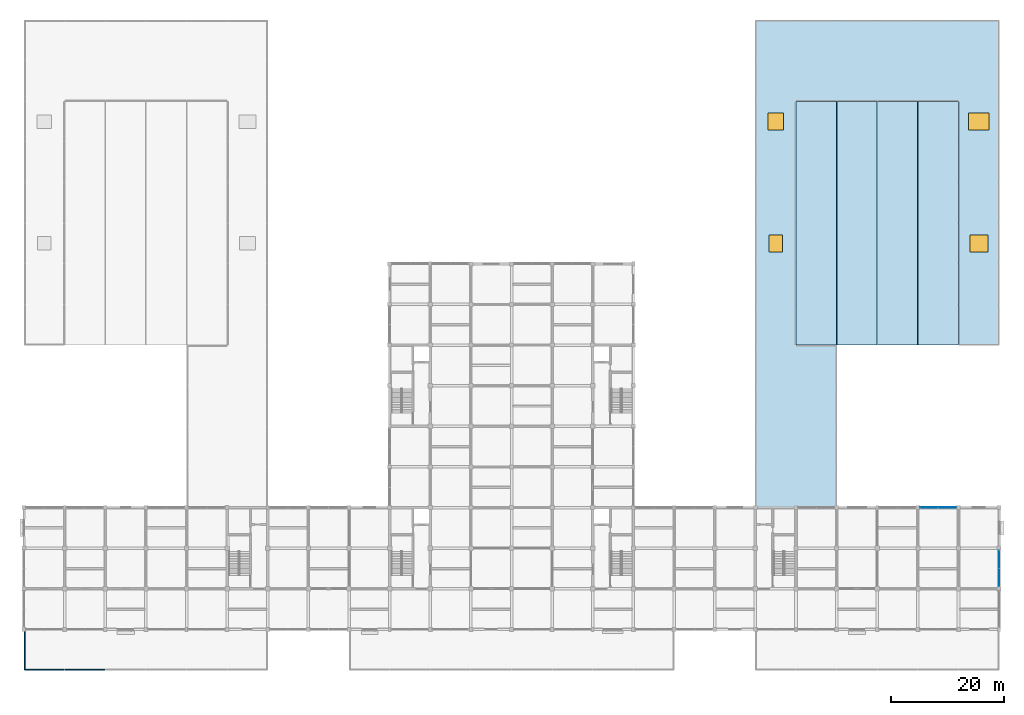
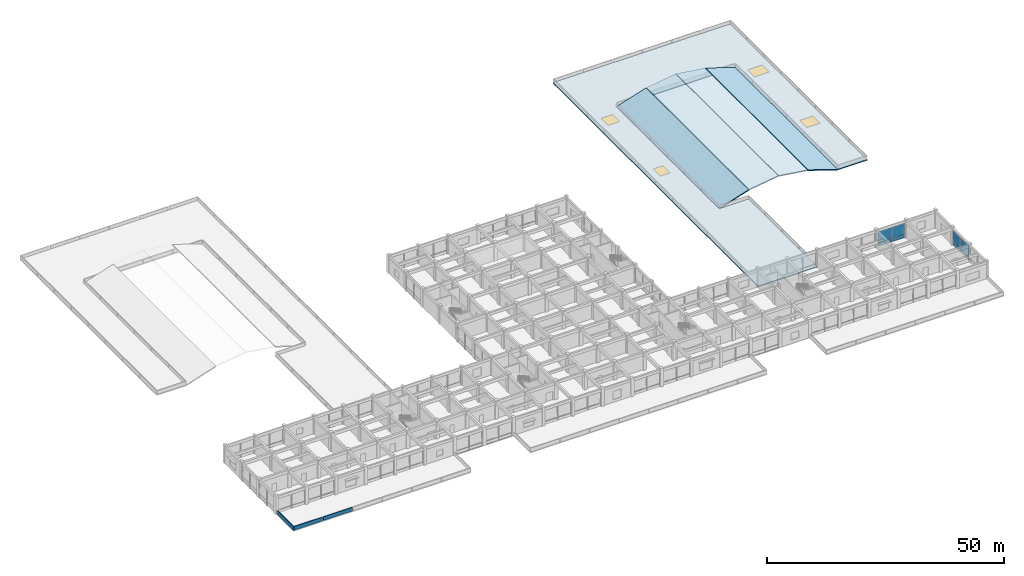
# One storey, part 17 of 30: 8 plates, 5 slabs, 4 windows, 3 walls, 4 openings, 2 elements without a shape of their own.
"""IFC4 building model written with IfcOpenShell, lengths in metres."""

from ifc_helpers import new_model, si_unit, direction, frame, frame_2d, origin, origin_2d, place, context, subcontext, project, spatial, polyline, rectangle, outline, extrude, material, layer, layer_set, type_object, element, fill, aggregate, save


model = new_model("IFC4")

# Units and contexts
model_context = context("Model", 3, precision=1e-05, world=origin(), true_north=direction((0.0, 1.0)))
body_context = subcontext(model_context, "Body", "Model", "MODEL_VIEW")
ifc_project = project(units=[si_unit("LENGTHUNIT", "METRE"), si_unit("AREAUNIT", "SQUARE_METRE"), si_unit("VOLUMEUNIT", "CUBIC_METRE"), si_unit("PLANEANGLEUNIT", "RADIAN"), si_unit("MASSUNIT", "GRAM", prefix="KILO")], contexts=[model_context])

# Site, building, storey
site_placement = place(None, origin())
site = spatial("IfcSite", under=ifc_project, at=site_placement, CompositionType="ELEMENT")
building_placement = place(site_placement, origin())
building = spatial("IfcBuilding", under=site, at=building_placement, Name="Cendaluz Park School", CompositionType="ELEMENT")
storey_placement = place(building_placement, frame((0.0, 0.0, 9.60009765625)))
storey = spatial("IfcBuildingStorey", under=building, at=storey_placement, Name="L02", CompositionType="ELEMENT", Elevation=9.60009765625)

# Curtain wall, plates
ifc_material_1 = material(Name="Anodised Aluminium 6063-T6", Category="aluminium")
ifc_layer_1 = layer(ifc_material_1, 0.179931640625)
ifc_layer_set_1 = layer_set([ifc_layer_1], Name="Anodised Aluminium 6063-T6")
curtain_wall_type = type_object("IfcCurtainWallType", Name="CW-130x78", PredefinedType="NOTDEFINED", material=ifc_layer_set_1)
curtain_wall_1_placement = place(storey_placement, origin())
curtain_wall_1 = element("IfcCurtainWall", 1, at=curtain_wall_1_placement, inside=storey, type_object=curtain_wall_type, Name="CW-L02-128", PredefinedType="NOTDEFINED")
ifc_material_2 = material(Name="Tempered Low-E Double Glazing", Category="glass")
ifc_layer_2 = layer(ifc_material_2, 0.0380859375)
ifc_layer_set_2 = layer_set([ifc_layer_2], Name="Tempered Low-E Double Glazing")
plate_type_1 = type_object("IfcPlateType", Name="CWP-G02", PredefinedType="CURTAIN_PANEL", material=ifc_layer_set_2)
plate_1_placement = place(storey_placement, frame((160.39501953125, 28.800048828125, 0.93994140625), z_axis=(0.0, 0.0, 1.0), x_axis=(1.0, 0.0, 0.0)))
plate_1 = element("IfcPlate", 2, at=plate_1_placement, type_object=plate_type_1, Name="CP-L02-1659", PredefinedType="CURTAIN_PANEL", context=body_context, shape_type="SweptSolid", body=[
    extrude(rectangle(XDim=3.1298828125, YDim=0.0380859375, at=origin_2d()), origin(), (0.0, 0.0, 1.0), 2.860107421875),
])
plate_2_placement = place(storey_placement, frame((163.60498046875, 28.800048828125, 0.93994140625), z_axis=(0.0, 0.0, 1.0), x_axis=(1.0, 0.0, 0.0)))
plate_2 = element("IfcPlate", 3, at=plate_2_placement, type_object=plate_type_1, Name="CP-L02-1664", PredefinedType="CURTAIN_PANEL", context=body_context, shape_type="SweptSolid", body=[
    extrude(rectangle(XDim=3.1298828125, YDim=0.0380859375, at=origin_2d()), origin(), (0.0, 0.0, 1.0), 2.860107421875),
])

curtain_wall_2_placement = place(storey_placement, origin())
curtain_wall_2 = element("IfcCurtainWall", 4, at=curtain_wall_2_placement, inside=storey, type_object=curtain_wall_type, Name="CW-L02-130", PredefinedType="NOTDEFINED")
ifc_layer_3 = layer(ifc_material_2, 0.05810546875)
ifc_layer_set_3 = layer_set([ifc_layer_3], Name="Tempered Low-E Double Glazing")
plate_type_2 = type_object("IfcPlateType", Name="CWP-G04", PredefinedType="CURTAIN_PANEL", material=ifc_layer_set_3)
plate_3_placement = place(storey_placement, frame((172.800048828125, 16.39501953125, 0.93994140625), z_axis=(0.0, 0.0, 1.0), x_axis=(0.0, 1.0, 0.0)))
plate_3 = element("IfcPlate", 5, at=plate_3_placement, type_object=plate_type_2, Name="CP-L02-1685", PredefinedType="CURTAIN_PANEL", context=body_context, shape_type="SweptSolid", body=[
    extrude(rectangle(XDim=3.1298828125, YDim=0.05810546875, at=origin_2d()), origin(), (0.0, 0.0, 1.0), 2.860107421875),
])
plate_4_placement = place(storey_placement, frame((172.800048828125, 19.60498046875, 0.93994140625), z_axis=(0.0, 0.0, 1.0), x_axis=(0.0, 1.0, 0.0)))
plate_4 = element("IfcPlate", 6, at=plate_4_placement, type_object=plate_type_2, Name="CP-L02-1690", PredefinedType="CURTAIN_PANEL", context=body_context, shape_type="SweptSolid", body=[
    extrude(rectangle(XDim=3.1298828125, YDim=0.05810546875, at=origin_2d()), origin(), (0.0, 0.0, 1.0), 2.860107421875),
])
ifc_layer_4 = layer(ifc_material_1, 0.094970703125)
ifc_layer_set_4 = layer_set([ifc_layer_4], Name="Anodised Aluminium 6063-T6")
plate_type_3 = type_object("IfcPlateType", Name="CWP-S02", PredefinedType="CURTAIN_PANEL", material=ifc_layer_set_4)
plate_5_placement = place(storey_placement, frame((172.800048828125, 16.39501953125, 0.080078125), z_axis=(0.0, 0.0, 1.0), x_axis=(0.0, 1.0, 0.0)))
plate_5 = element("IfcPlate", 7, at=plate_5_placement, type_object=plate_type_3, Name="CP-L02-1684", PredefinedType="CURTAIN_PANEL", context=body_context, shape_type="SweptSolid", body=[
    extrude(rectangle(XDim=3.1298828125, YDim=0.094970703125, at=origin_2d()), origin(), (0.0, 0.0, 1.0), 0.780029296875),
])
plate_6_placement = place(storey_placement, frame((172.800048828125, 19.60498046875, 0.080078125), z_axis=(0.0, 0.0, 1.0), x_axis=(0.0, 1.0, 0.0)))
plate_6 = element("IfcPlate", 8, at=plate_6_placement, type_object=plate_type_3, Name="CP-L02-1689", PredefinedType="CURTAIN_PANEL", context=body_context, shape_type="SweptSolid", body=[
    extrude(rectangle(XDim=3.1298828125, YDim=0.094970703125, at=origin_2d()), origin(), (0.0, 0.0, 1.0), 0.780029296875),
])
aggregate(curtain_wall_2, [plate_5, plate_3, plate_6, plate_4])

# Plate
ifc_layer_5 = layer(ifc_material_1, 0.125)
ifc_layer_set_5 = layer_set([ifc_layer_5], Name="Anodised Aluminium 6063-T6")
plate_type_4 = type_object("IfcPlateType", Name="CWP-S04", PredefinedType="CURTAIN_PANEL", material=ifc_layer_set_5)
plate_7_placement = place(storey_placement, frame((160.39501953125, 28.800048828125, 0.080078125), z_axis=(0.0, 0.0, 1.0), x_axis=(1.0, 0.0, 0.0)))
plate_7 = element("IfcPlate", 9, at=plate_7_placement, type_object=plate_type_4, Name="CP-L02-1658", PredefinedType="CURTAIN_PANEL", context=body_context, shape_type="SweptSolid", body=[
    extrude(rectangle(XDim=3.1298828125, YDim=0.125, at=origin_2d()), origin(), (0.0, 0.0, 1.0), 0.780029296875),
])

plate_8_placement = place(storey_placement, frame((163.60498046875, 28.800048828125, 0.080078125), z_axis=(0.0, 0.0, 1.0), x_axis=(1.0, 0.0, 0.0)))
plate_8 = element("IfcPlate", 10, at=plate_8_placement, type_object=plate_type_4, Name="CP-L02-1663", PredefinedType="CURTAIN_PANEL", context=body_context, shape_type="SweptSolid", body=[
    extrude(rectangle(XDim=3.1298828125, YDim=0.125, at=origin_2d()), origin(), (0.0, 0.0, 1.0), 0.780029296875),
])

aggregate(curtain_wall_1, [plate_7, plate_1, plate_8, plate_2])

# Slab, openings, windows
ifc_material_3 = material(Name="Concrete C40/50", Category="concrete")
ifc_layer_6 = layer(ifc_material_3, 0.260009765625)
ifc_layer_set_6 = layer_set([ifc_layer_6], Name="Concrete C40/50")
slab_type_1 = type_object("IfcSlabType", Name="SL-RF-260-RC", PredefinedType="ROOF", material=ifc_layer_set_6)
slab_1_placement = place(storey_placement, frame((0.0, 0.0, -0.260009765625)))
slab_1 = element("IfcSlab", 11, at=slab_1_placement, inside=storey, type_object=slab_type_1, Name="SL-RF-L01-06", PredefinedType="ROOF", context=body_context, shape_type="SweptSolid", body=[
    extrude(outline(polyline([(129.60009765625, 115.199951171875), (172.800048828125, 115.199951171875), (172.800048828125, 57.60009765625), (165.60009765625, 57.60009765625), (165.60009765625, 100.800048828125), (136.800048828125, 100.800048828125), (136.800048828125, 57.60009765625), (144.0, 57.60009765625), (144.0, 28.800048828125), (129.60009765625, 28.800048828125), (129.60009765625, 115.199951171875)])), origin(), (0.0, 0.0, 1.0), 0.260009765625),
])
opening_1_placement = place(slab_1_placement, frame((133.199951171875, 75.60009765625, 0.0)))
opening_1 = element("IfcOpeningElement", 12, at=opening_1_placement, cuts=slab_1, Name="Opening SK-05", PredefinedType="OPENING", context=body_context, shape_type="SweptSolid", body=[
    extrude(rectangle(XDim=2.39990234375, YDim=3.0, at=origin_2d()), frame((0.0, 0.0, -0.011962890625)), (0.0, 0.0, 1.0), 0.283935546875),
])
opening_2_placement = place(slab_1_placement, frame((133.199951171875, 97.199951171875, 0.0)))
opening_2 = element("IfcOpeningElement", 13, at=opening_2_placement, cuts=slab_1, Name="Opening SK-06", PredefinedType="OPENING", context=body_context, shape_type="SweptSolid", body=[
    extrude(rectangle(XDim=2.800048828125, YDim=3.0, at=origin_2d()), frame((0.0, 0.0, -0.011962890625)), (0.0, 0.0, 1.0), 0.283935546875),
])
opening_3_placement = place(slab_1_placement, frame((169.199951171875, 75.60009765625, 0.0)))
opening_3 = element("IfcOpeningElement", 14, at=opening_3_placement, cuts=slab_1, Name="Opening SK-07", PredefinedType="OPENING", context=body_context, shape_type="SweptSolid", body=[
    extrude(rectangle(XDim=3.199951171875, YDim=3.0, at=origin_2d()), frame((0.0, 0.0, -0.011962890625)), (0.0, 0.0, 1.0), 0.283935546875),
])
opening_4_placement = place(slab_1_placement, frame((169.199951171875, 97.199951171875, 0.0)))
opening_4 = element("IfcOpeningElement", 15, at=opening_4_placement, cuts=slab_1, Name="Opening SK-08", PredefinedType="OPENING", context=body_context, shape_type="SweptSolid", body=[
    extrude(rectangle(XDim=3.60009765625, YDim=3.0, at=origin_2d()), frame((0.0, 0.0, -0.011962890625)), (0.0, 0.0, 1.0), 0.283935546875),
])
window_type_1 = type_object("IfcWindowType", Name="SK-05", PartitioningType="SINGLE_PANEL", PredefinedType="SKYLIGHT", material=ifc_material_2)
window_1_placement = place(opening_1_placement, frame((0.0, 0.0, 0.2099609375)))
window_1 = element("IfcWindow", 16, at=window_1_placement, inside=storey, type_object=window_type_1, Name="WN-L02-024", OverallHeight=3.0, OverallWidth=2.39990234375, PartitioningType="SINGLE_PANEL", PredefinedType="SKYLIGHT", context=body_context, shape_type="SweptSolid", body=[
    extrude(rectangle(XDim=2.39990234375, YDim=3.0, at=origin_2d()), origin(), (0.0, 0.0, 1.0), 0.050048828125),
])
fill(opening_1, window_1)
window_type_2 = type_object("IfcWindowType", Name="SK-06", PartitioningType="SINGLE_PANEL", PredefinedType="SKYLIGHT", material=ifc_material_2)
window_2_placement = place(opening_2_placement, frame((0.0, 0.0, 0.2099609375)))
window_2 = element("IfcWindow", 17, at=window_2_placement, inside=storey, type_object=window_type_2, Name="WN-L02-025", OverallHeight=3.0, OverallWidth=2.800048828125, PartitioningType="SINGLE_PANEL", PredefinedType="SKYLIGHT", context=body_context, shape_type="SweptSolid", body=[
    extrude(rectangle(XDim=2.800048828125, YDim=3.0, at=origin_2d()), origin(), (0.0, 0.0, 1.0), 0.050048828125),
])
fill(opening_2, window_2)
window_type_3 = type_object("IfcWindowType", Name="SK-07", PartitioningType="SINGLE_PANEL", PredefinedType="SKYLIGHT", material=ifc_material_2)
window_3_placement = place(opening_3_placement, frame((0.0, 0.0, 0.2099609375)))
window_3 = element("IfcWindow", 18, at=window_3_placement, inside=storey, type_object=window_type_3, Name="WN-L02-026", OverallHeight=3.0, OverallWidth=3.199951171875, PartitioningType="SINGLE_PANEL", PredefinedType="SKYLIGHT", context=body_context, shape_type="SweptSolid", body=[
    extrude(rectangle(XDim=3.199951171875, YDim=3.0, at=origin_2d()), origin(), (0.0, 0.0, 1.0), 0.050048828125),
])
fill(opening_3, window_3)
window_type_4 = type_object("IfcWindowType", Name="SK-08", PartitioningType="SINGLE_PANEL", PredefinedType="SKYLIGHT", material=ifc_material_2)
window_4_placement = place(opening_4_placement, frame((0.0, 0.0, 0.2099609375)))
window_4 = element("IfcWindow", 19, at=window_4_placement, inside=storey, type_object=window_type_4, Name="WN-L02-027", OverallHeight=3.0, OverallWidth=3.60009765625, PartitioningType="SINGLE_PANEL", PredefinedType="SKYLIGHT", context=body_context, shape_type="SweptSolid", body=[
    extrude(rectangle(XDim=3.60009765625, YDim=3.0, at=origin_2d()), origin(), (0.0, 0.0, 1.0), 0.050048828125),
])
fill(opening_4, window_4)

# Slabs
ifc_layer_7 = layer(ifc_material_3, 0.260009765625)
ifc_layer_set_7 = layer_set([ifc_layer_7], Name="Concrete C40/50")
slab_type_2 = type_object("IfcSlabType", Name="SL-RF-260-VLT", PredefinedType="ROOF", material=ifc_layer_set_7)
slab_2_placement = place(storey_placement, frame((136.800048828125, 57.60009765625, 0.0), z_axis=(-0.310243778677, 0.0, 0.950657034788), x_axis=(0.950657034788, 0.0, 0.310243778677)))
element("IfcSlab", 20, at=slab_2_placement, inside=storey, type_object=slab_type_2, Name="Barrel Vault Roof Slab SL-RF-AH-F1", PredefinedType="ROOF", context=body_context, shape_type="SweptSolid", body=[
    extrude(outline(polyline([(0.0, 0.0), (7.5230658450284364, 0.0), (7.5230658450284364, 43.199951171875), (0.0, 43.199951171875), (0.0, 0.0)])), origin(), (0.0, 0.0, -1.0), 0.260009765625),
])
for number, where, z_axis, x_axis, name in (
    (21, (144.048095703125, 57.60009765625, 2.35693359375), (-0.144291631102, 0.0, 0.989535206647), (0.989535206647, 0.0, 0.144291631102), "Barrel Vault Roof Slab SL-RF-AH-F2"),
    (22, (151.248046875, 57.60009765625, 3.392822265625), (0.144291631102, 0.0, 0.989535206647), (0.989535206647, 0.0, -0.144291631102), "Barrel Vault Roof Slab SL-RF-AH-F3"),
):
    element("IfcSlab", number, at=place(storey_placement, frame(where, z_axis=z_axis, x_axis=x_axis)), inside=storey, type_object=slab_type_2, Name=name, PredefinedType="ROOF", context=body_context, shape_type="SweptSolid", body=[
        extrude(outline(polyline([(0.0, 0.0), (7.17913203949713, 0.0), (7.17913203949713, 43.199951171875), (0.0, 43.199951171875), (0.0, 0.0)])), origin(), (0.0, 0.0, -1.0), 0.260009765625),
    ])
slab_3_placement = place(storey_placement, frame((158.447998046875, 57.60009765625, 2.333984375), z_axis=(0.31023420763, 0.0, 0.950660158214), x_axis=(0.950660158214, 0.0, -0.31023420763)))
element("IfcSlab", 23, at=slab_3_placement, inside=storey, type_object=slab_type_2, Name="Barrel Vault Roof Slab SL-RF-AH-F4", PredefinedType="ROOF", context=body_context, shape_type="SweptSolid", body=[
    extrude(outline(polyline([(0.0, 0.0), (7.523297939412354, 0.0), (7.523297939412354, 43.19995117187499), (0.0, 43.19995117187499), (0.0, 0.0)])), origin(), (0.0, 0.0, -1.0), 0.260009765625),
])

# Walls
ifc_material_4 = material(Name="Concrete C40/50 precast", Category="concrete")
ifc_layer_8 = layer(ifc_material_4, 0.179931640625)
ifc_layer_set_8 = layer_set([ifc_layer_8], Name="Concrete C40/50 precast")
wall_type = type_object("IfcWallType", Name="W-PR18", PredefinedType="PARAPET", material=ifc_layer_set_8)
for number, where, z_axis, x_axis, name in (
    (24, (0.090087890625, 0.090087890625, 0.0), (0.0, 0.0, 1.0), (1.0, 0.0, 0.0), "WL-FC-AB9"),
    (25, (0.090087890625, 0.090087890625, 0.0), (0.0, 0.0, 1.0), (0.0, 1.0, 0.0), "WL-FC-AC0"),
    (26, (7.2900390625, 0.090087890625, 0.0), (0.0, 0.0, 1.0), (1.0, 0.0, 0.0), "WL-FC-AD7"),
):
    element("IfcWall", number, at=place(storey_placement, frame(where, z_axis=z_axis, x_axis=x_axis)), inside=storey, type_object=wall_type, Name=name, PredefinedType="PARAPET", context=body_context, shape_type="SweptSolid", body=[
        extrude(rectangle(XDim=7.02001953125, YDim=0.179931640625, at=frame_2d((3.510009765625, 0.0))), origin(), (0.0, 0.0, 1.0), 0.949951171875),
    ])

save(model, "model.ifc")
